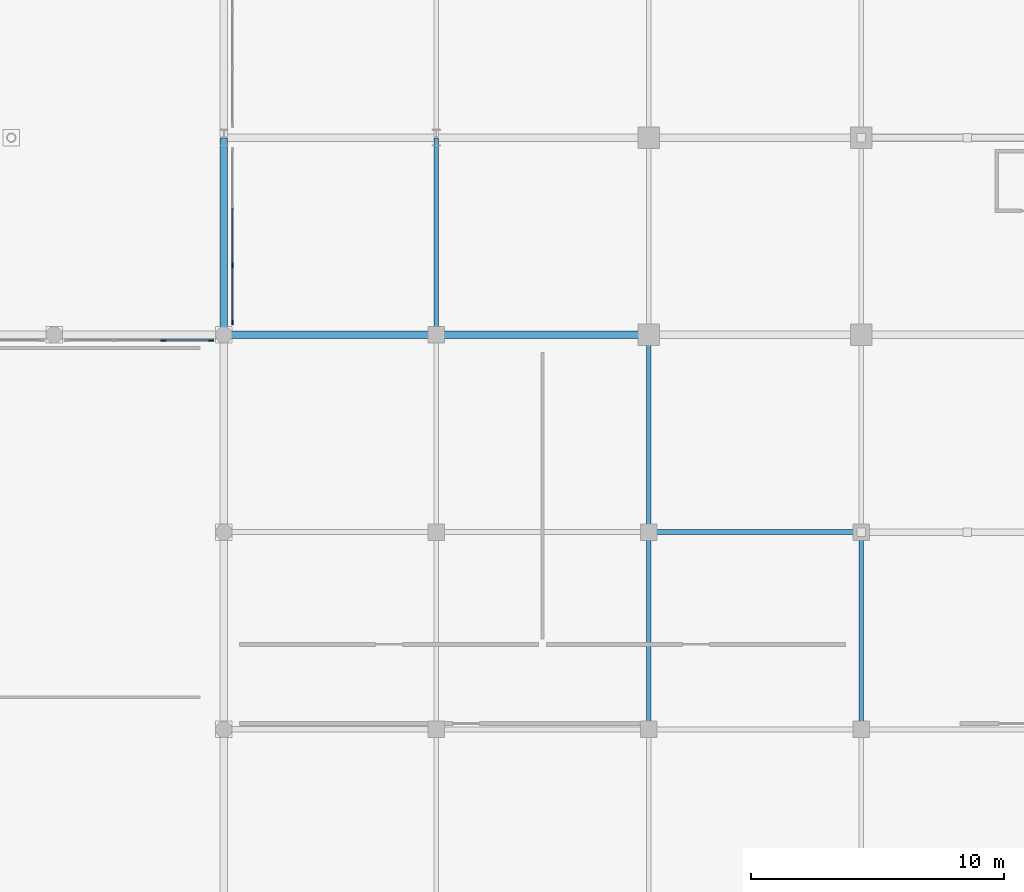
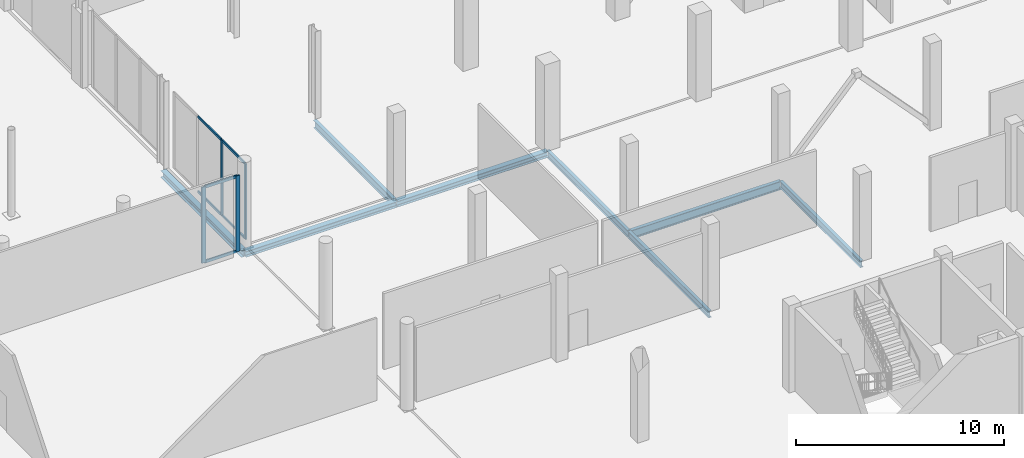
# One storey, part 35 of 80: 10 members, 8 beams, 2 elements without a shape of their own.
"""IFC4 building model written with IfcOpenShell, lengths in metres."""

from ifc_helpers import new_model, si_unit, direction, frame, origin, origin_2d, place, context, subcontext, project, spatial, rectangle, i_section, extrude, material, material_profile, profile_set, type_object, element, aggregate, save


model = new_model("IFC4")

# Units and contexts
model_context = context("Model", 3, precision=1e-05, world=origin(), true_north=direction((0.0, 1.0)))
body_context = subcontext(model_context, "Body", "Model", "MODEL_VIEW")
ifc_project = project(units=[si_unit("LENGTHUNIT", "METRE"), si_unit("AREAUNIT", "SQUARE_METRE"), si_unit("VOLUMEUNIT", "CUBIC_METRE"), si_unit("PLANEANGLEUNIT", "RADIAN"), si_unit("MASSUNIT", "GRAM", prefix="KILO")], contexts=[model_context])

# Site, building, storey
site_placement = place(None, origin())
site = spatial("IfcSite", under=ifc_project, at=site_placement, CompositionType="ELEMENT")
building_placement = place(site_placement, origin())
building = spatial("IfcBuilding", under=site, at=building_placement, Name="Nabrawat Pavilion Hospital", CompositionType="ELEMENT")
storey_placement = place(building_placement, origin())
storey = spatial("IfcBuildingStorey", under=building, at=storey_placement, Name="L00", CompositionType="ELEMENT", Elevation=0.0)

# Curtain wall, members
ifc_material_1 = material(Name="Anodised Aluminium", Category="aluminium")
curtain_wall_type_1 = type_object("IfcCurtainWallType", Name="Healing Garden Cloister Curtain Wall", PredefinedType="USERDEFINED", material=ifc_material_1)
curtain_wall_1_placement = place(storey_placement, origin())
curtain_wall_1 = element("IfcCurtainWall", 1, at=curtain_wall_1_placement, inside=storey, type_object=curtain_wall_type_1, Name="L00 Healing Garden Cloister Curtain Wall 024", ObjectType="CURTAIN WALL", PredefinedType="USERDEFINED")
ifc_material_profile_1 = material_profile(ifc_material_1, rectangle(XDim=0.06494140625, YDim=0.179931640625, at=origin_2d()), Name="CWM 65x180")
ifc_profile_set_1 = profile_set([ifc_material_profile_1], Name="Anodised Aluminium")
member_type_1 = type_object("IfcMemberType", Name="Healing Garden Cloister Curtain Wall Mullion CWM 65x180", PredefinedType="MULLION", material=ifc_profile_set_1)
member_1_placement = place(storey_placement, frame((126.340087890625, 39.49755859375, 0.0), z_axis=(0.0, 0.0, 1.0), x_axis=(-1.0, 0.0, 0.0)))
member_1 = element("IfcMember", 2, at=member_1_placement, type_object=member_type_1, Name="CW-CLN-01 mullion 1", PredefinedType="MULLION", context=body_context, shape_type="SweptSolid", body=[
    extrude(rectangle(XDim=0.06494140625, YDim=0.179931640625, at=origin_2d()), origin(), (0.0, 0.0, 1.0), 4.43994140625),
])
member_2_placement = place(storey_placement, frame((126.340087890625, 41.7548828125, 0.0), z_axis=(0.0, 0.0, 1.0), x_axis=(-1.0, 0.0, 0.0)))
member_2 = element("IfcMember", 3, at=member_2_placement, type_object=member_type_1, Name="CW-CLN-01 mullion 2", PredefinedType="MULLION", context=body_context, shape_type="SweptSolid", body=[
    extrude(rectangle(XDim=0.06494140625, YDim=0.179931640625, at=origin_2d()), origin(), (0.0, 0.0, 1.0), 4.43994140625),
])
ifc_material_profile_2 = material_profile(ifc_material_1, rectangle(XDim=0.06494140625, YDim=0.135009765625, at=origin_2d()), Name="CWT 65x135")
ifc_profile_set_2 = profile_set([ifc_material_profile_2], Name="Anodised Aluminium")
member_type_2 = type_object("IfcMemberType", Name="Healing Garden Cloister Curtain Wall Transom CWT 65x135", PredefinedType="USERDEFINED", material=ifc_profile_set_2)
member_3_placement = place(storey_placement, frame((126.340087890625, 39.530029296875, 0.032470703125), z_axis=(0.0, 1.0, 0.0), x_axis=(-1.0, 0.0, 0.0)))
member_3 = element("IfcMember", 4, at=member_3_placement, type_object=member_type_2, Name="CW-CLN-01 transom 1.1", ObjectType="TRANSOM", PredefinedType="USERDEFINED", context=body_context, shape_type="SweptSolid", body=[
    extrude(rectangle(XDim=0.06494140625, YDim=0.135009765625, at=origin_2d()), origin(), (0.0, 0.0, 1.0), 2.1923828125),
])
member_4_placement = place(storey_placement, frame((126.340087890625, 39.530029296875, 4.407470703125), z_axis=(0.0, 1.0, 0.0), x_axis=(-1.0, 0.0, 0.0)))
member_4 = element("IfcMember", 5, at=member_4_placement, type_object=member_type_2, Name="CW-CLN-01 transom 1.2", ObjectType="TRANSOM", PredefinedType="USERDEFINED", context=body_context, shape_type="SweptSolid", body=[
    extrude(rectangle(XDim=0.06494140625, YDim=0.135009765625, at=origin_2d()), origin(), (0.0, 0.0, 1.0), 2.1923828125),
])
member_5_placement = place(storey_placement, frame((126.340087890625, 41.78759765625, 0.032470703125), z_axis=(0.0, 1.0, 0.0), x_axis=(-1.0, 0.0, 0.0)))
member_5 = element("IfcMember", 6, at=member_5_placement, type_object=member_type_2, Name="CW-CLN-01 transom 2.1", ObjectType="TRANSOM", PredefinedType="USERDEFINED", context=body_context, shape_type="SweptSolid", body=[
    extrude(rectangle(XDim=0.06494140625, YDim=0.135009765625, at=origin_2d()), origin(), (0.0, 0.0, 1.0), 2.224853515625),
])
member_6_placement = place(storey_placement, frame((126.340087890625, 41.78759765625, 4.407470703125), z_axis=(0.0, 1.0, 0.0), x_axis=(-1.0, 0.0, 0.0)))
member_6 = element("IfcMember", 7, at=member_6_placement, type_object=member_type_2, Name="CW-CLN-01 transom 2.2", ObjectType="TRANSOM", PredefinedType="USERDEFINED", context=body_context, shape_type="SweptSolid", body=[
    extrude(rectangle(XDim=0.06494140625, YDim=0.135009765625, at=origin_2d()), origin(), (0.0, 0.0, 1.0), 2.224853515625),
])
aggregate(curtain_wall_1, [member_1, member_2, member_3, member_4, member_5, member_6])

curtain_wall_type_2 = type_object("IfcCurtainWallType", Name="Main Hall Pavilion Unitised Curtain Wall", PredefinedType="USERDEFINED", material=ifc_material_1)
curtain_wall_2_placement = place(storey_placement, origin())
curtain_wall_2 = element("IfcCurtainWall", 8, at=curtain_wall_2_placement, inside=storey, type_object=curtain_wall_type_2, Name="L00 Main Hall Pavilion Unitised Curtain Wall 016", ObjectType="CURTAIN WALL", PredefinedType="USERDEFINED")
ifc_material_profile_3 = material_profile(ifc_material_1, rectangle(XDim=0.074951171875, YDim=0.219970703125, at=origin_2d()), Name="CWM 75x220")
ifc_profile_set_3 = profile_set([ifc_material_profile_3], Name="Anodised Aluminium")
member_type_3 = type_object("IfcMemberType", Name="Main Hall Pavilion Unitised Curtain Wall Mullion CWM 75x220", PredefinedType="MULLION", material=ifc_profile_set_3)
member_7_placement = place(storey_placement, frame((123.60888671875, 38.780029296875, 0.0), z_axis=(0.0, 0.0, 1.0), x_axis=(0.0, 1.0, 0.0)))
member_7 = element("IfcMember", 9, at=member_7_placement, type_object=member_type_3, Name="CW-MH-01 mullion 3", PredefinedType="MULLION", context=body_context, shape_type="SweptSolid", body=[
    extrude(rectangle(XDim=0.074951171875, YDim=0.219970703125, at=origin_2d()), origin(), (0.0, 0.0, 1.0), 4.449951171875),
])
member_8_placement = place(storey_placement, frame((125.49755859375, 38.780029296875, 0.0), z_axis=(0.0, 0.0, 1.0), x_axis=(0.0, 1.0, 0.0)))
member_8 = element("IfcMember", 10, at=member_8_placement, type_object=member_type_3, Name="CW-MH-01 mullion 4", PredefinedType="MULLION", context=body_context, shape_type="SweptSolid", body=[
    extrude(rectangle(XDim=0.074951171875, YDim=0.219970703125, at=origin_2d()), origin(), (0.0, 0.0, 1.0), 4.449951171875),
])
ifc_material_profile_4 = material_profile(ifc_material_1, rectangle(XDim=0.074951171875, YDim=0.1650390625, at=origin_2d()), Name="CWT 75x165")
ifc_profile_set_4 = profile_set([ifc_material_profile_4], Name="Anodised Aluminium")
member_type_4 = type_object("IfcMemberType", Name="Main Hall Pavilion Unitised Curtain Wall Transom CWT 75x165", PredefinedType="USERDEFINED", material=ifc_profile_set_4)
member_9_placement = place(storey_placement, frame((123.646484375, 38.780029296875, 0.03759765625), z_axis=(1.0, 0.0, 0.0), x_axis=(0.0, 1.0, 0.0)))
member_9 = element("IfcMember", 11, at=member_9_placement, type_object=member_type_4, Name="CW-MH-01 transom 3.1", ObjectType="TRANSOM", PredefinedType="USERDEFINED", context=body_context, shape_type="SweptSolid", body=[
    extrude(rectangle(XDim=0.074951171875, YDim=0.1650390625, at=origin_2d()), origin(), (0.0, 0.0, 1.0), 1.8134765625),
])
member_10_placement = place(storey_placement, frame((123.646484375, 38.780029296875, 4.41259765625), z_axis=(1.0, 0.0, 0.0), x_axis=(0.0, 1.0, 0.0)))
member_10 = element("IfcMember", 12, at=member_10_placement, type_object=member_type_4, Name="CW-MH-01 transom 3.2", ObjectType="TRANSOM", PredefinedType="USERDEFINED", context=body_context, shape_type="SweptSolid", body=[
    extrude(rectangle(XDim=0.074951171875, YDim=0.1650390625, at=origin_2d()), origin(), (0.0, 0.0, 1.0), 1.8134765625),
])
aggregate(curtain_wall_2, [member_7, member_8, member_9, member_10])

# Beams
ifc_material_2 = material(Name="Steel S355", Category="steel")
ifc_material_profile_5 = material_profile(ifc_material_2, i_section(OverallWidth=0.300048828125, OverallDepth=0.389892578125, WebThickness=0.010986328125, FlangeThickness=0.01904296875, FilletRadius=0.027099609375, at=origin_2d()), Name="HEA 400")
ifc_profile_set_5 = profile_set([ifc_material_profile_5], Name="Steel S355")
beam_type_1 = type_object("IfcBeamType", Name="Perimeter Moment Spandrel Beam HEA 400", PredefinedType="SPANDREL", material=ifc_profile_set_5)
beam_1_placement = place(storey_placement, frame((126.0, 39.02001953125, -0.445068359375), z_axis=(0.0, 1.0, 0.0), x_axis=(-1.0, 0.0, 0.0)))
element("IfcBeam", 13, at=beam_1_placement, inside=storey, type_object=beam_type_1, Name="L00 Primary Y Beam 325", PredefinedType="SPANDREL", context=body_context, shape_type="SweptSolid", body=[
    extrude(i_section(OverallWidth=0.300048828125, OverallDepth=0.389892578125, WebThickness=0.010986328125, FlangeThickness=0.01904296875, FilletRadius=0.027099609375, at=origin_2d()), origin(), (0.0, 0.0, 1.0), 7.760009765625),
])
ifc_material_profile_6 = material_profile(ifc_material_2, i_section(OverallWidth=0.18994140625, OverallDepth=0.449951171875, WebThickness=0.009521484375, FlangeThickness=0.0146484375, FilletRadius=0.02099609375, at=origin_2d()), Name="IPE 450")
ifc_profile_set_6 = profile_set([ifc_material_profile_6], Name="Steel S355")
beam_type_2 = type_object("IfcBeamType", Name="Primary Y Floor Beam IPE 450", PredefinedType="BEAM", material=ifc_profile_set_6)
beam_2_placement = place(storey_placement, frame((134.39990234375, 39.02001953125, -0.47509765625), z_axis=(0.0, 1.0, 0.0), x_axis=(-1.0, 0.0, 0.0)))
element("IfcBeam", 14, at=beam_2_placement, inside=storey, type_object=beam_type_2, Name="L00 Primary Y Beam 341", PredefinedType="BEAM", context=body_context, shape_type="SweptSolid", body=[
    extrude(i_section(OverallWidth=0.18994140625, OverallDepth=0.449951171875, WebThickness=0.009521484375, FlangeThickness=0.0146484375, FilletRadius=0.02099609375, at=origin_2d()), origin(), (0.0, 0.0, 1.0), 7.760009765625),
])
ifc_material_profile_7 = material_profile(ifc_material_2, i_section(OverallWidth=0.199951171875, OverallDepth=0.5, WebThickness=0.01025390625, FlangeThickness=0.01611328125, FilletRadius=0.02099609375, at=origin_2d()), Name="IPE 500")
ifc_profile_set_7 = profile_set([ifc_material_profile_7], Name="Steel S355")
beam_type_3 = type_object("IfcBeamType", Name="Standard X Floor Girder IPE 500", PredefinedType="USERDEFINED", material=ifc_profile_set_7)
beam_3_placement = place(storey_placement, frame((142.820068359375, 31.199951171875, -0.47998046875), z_axis=(1.0, 0.0, 0.0), x_axis=(0.0, 1.0, 0.0)))
element("IfcBeam", 15, at=beam_3_placement, inside=storey, type_object=beam_type_3, Name="L00 Primary X Girder 59", ObjectType="GIRDER", PredefinedType="USERDEFINED", context=body_context, shape_type="SweptSolid", body=[
    extrude(i_section(OverallWidth=0.199951171875, OverallDepth=0.5, WebThickness=0.01025390625, FlangeThickness=0.01611328125, FilletRadius=0.02099609375, at=origin_2d()), origin(), (0.0, 0.0, 1.0), 8.35986328125),
])
ifc_material_profile_8 = material_profile(ifc_material_2, i_section(OverallWidth=0.179931640625, OverallDepth=0.39990234375, WebThickness=0.008544921875, FlangeThickness=0.013427734375, FilletRadius=0.02099609375, at=origin_2d()), Name="IPE 400")
ifc_profile_set_8 = profile_set([ifc_material_profile_8], Name="Steel S355")
beam_type_4 = type_object("IfcBeamType", Name="Standard Y Floor Beam IPE 400", PredefinedType="BEAM", material=ifc_profile_set_8)
for number, where, z_axis, x_axis, name in (
    (16, (142.800048828125, 23.419921875, -0.429931640625), (0.0, 1.0, 0.0), (-1.0, 0.0, 0.0), "L00 Primary Y Beam 355"),
    (17, (142.800048828125, 31.219970703125, -0.429931640625), (0.0, 1.0, 0.0), (-1.0, 0.0, 0.0), "L00 Primary Y Beam 356"),
    (18, (151.199951171875, 23.419921875, -0.429931640625), (0.0, 1.0, 0.0), (-1.0, 0.0, 0.0), "L00 Primary Y Beam 371"),
):
    element("IfcBeam", number, at=place(storey_placement, frame(where, z_axis=z_axis, x_axis=x_axis)), inside=storey, type_object=beam_type_4, Name=name, PredefinedType="BEAM", context=body_context, shape_type="SweptSolid", body=[
        extrude(i_section(OverallWidth=0.179931640625, OverallDepth=0.39990234375, WebThickness=0.008544921875, FlangeThickness=0.013427734375, FilletRadius=0.02099609375, at=origin_2d()), origin(), (0.0, 0.0, 1.0), 7.760009765625),
    ])
ifc_material_profile_9 = material_profile(ifc_material_2, i_section(OverallWidth=0.300048828125, OverallDepth=0.340087890625, WebThickness=0.011962890625, FlangeThickness=0.021484375, FilletRadius=0.027099609375, at=origin_2d()), Name="HEB 340")
ifc_profile_set_9 = profile_set([ifc_material_profile_9], Name="Steel S355")
beam_type_5 = type_object("IfcBeamType", Name="Ward Perimeter Spandrel Beam HEB 340", PredefinedType="SPANDREL", material=ifc_profile_set_9)
beam_4_placement = place(storey_placement, frame((126.02001953125, 39.0, -0.419921875), z_axis=(1.0, 0.0, 0.0), x_axis=(0.0, 1.0, 0.0)))
element("IfcBeam", 19, at=beam_4_placement, inside=storey, type_object=beam_type_5, Name="L00 Primary X Girder 80", PredefinedType="SPANDREL", context=body_context, shape_type="SweptSolid", body=[
    extrude(i_section(OverallWidth=0.300048828125, OverallDepth=0.340087890625, WebThickness=0.011962890625, FlangeThickness=0.021484375, FilletRadius=0.027099609375, at=origin_2d()), origin(), (0.0, 0.0, 1.0), 8.35986328125),
])
beam_5_placement = place(storey_placement, frame((134.419921875, 39.0, -0.419921875), z_axis=(1.0, 0.0, 0.0), x_axis=(0.0, 1.0, 0.0)))
element("IfcBeam", 20, at=beam_5_placement, inside=storey, type_object=beam_type_5, Name="L00 Primary X Girder 81", PredefinedType="SPANDREL", context=body_context, shape_type="SweptSolid", body=[
    extrude(i_section(OverallWidth=0.300048828125, OverallDepth=0.340087890625, WebThickness=0.011962890625, FlangeThickness=0.021484375, FilletRadius=0.027099609375, at=origin_2d()), origin(), (0.0, 0.0, 1.0), 8.360107421875),
])

save(model, "model.ifc")
